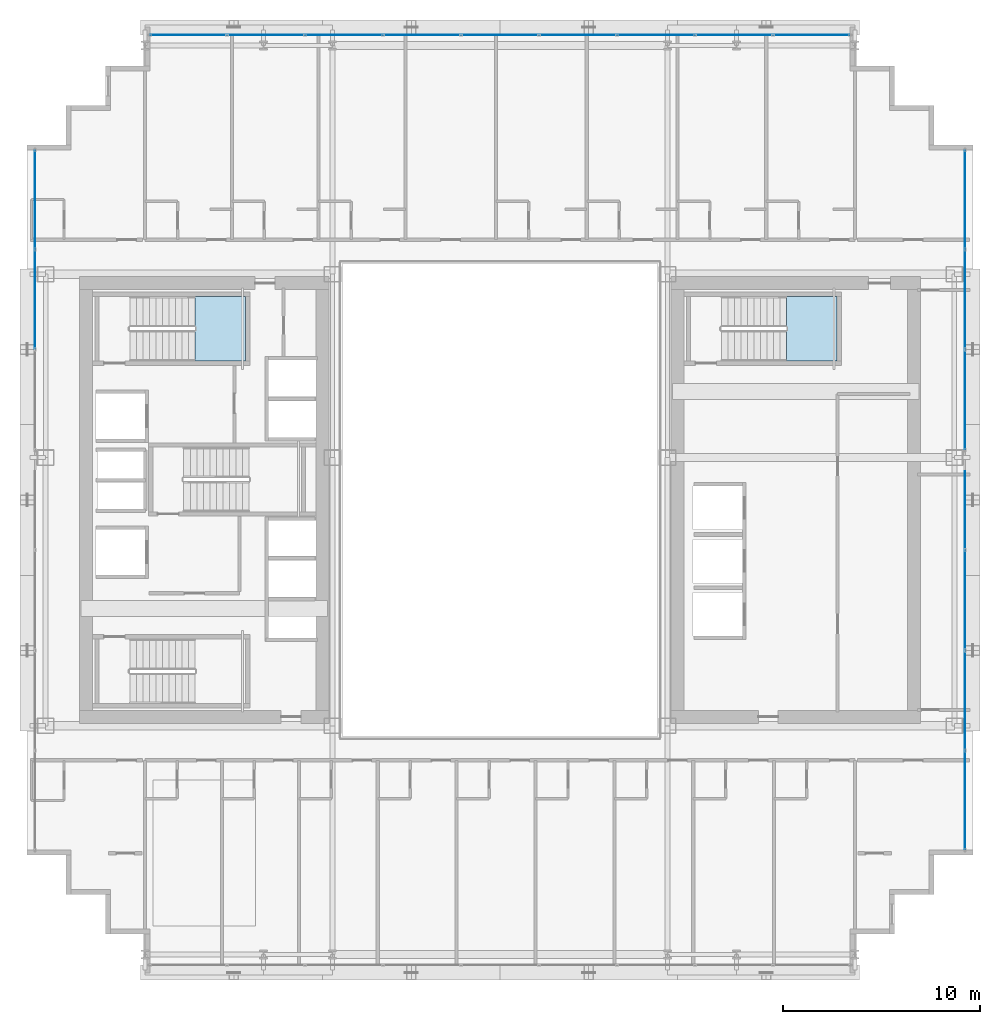
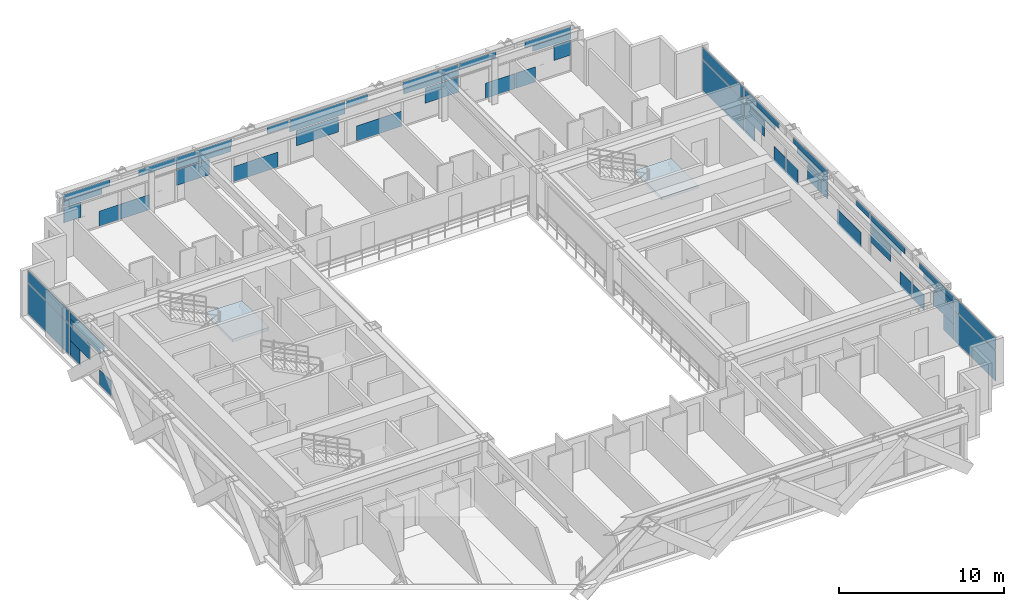
# One storey, part 24 of 36: 55 plates, 2 slabs, 5 elements without a shape of their own.
"""IFC4 building model written with IfcOpenShell, lengths in metres."""

from ifc_helpers import new_model, si_unit, direction, frame, origin, origin_2d, place, context, subcontext, project, spatial, polyline, rectangle, outline, extrude, source, transform, mapped, material, layer, layer_set, type_object, element, aggregate, save


model = new_model("IFC4")

# Units and contexts
model_context = context("Model", 3, precision=1e-05, world=origin(), true_north=direction((0.0, 1.0)))
body_context = subcontext(model_context, "Body", "Model", "MODEL_VIEW")
ifc_project = project(units=[si_unit("LENGTHUNIT", "METRE"), si_unit("AREAUNIT", "SQUARE_METRE"), si_unit("VOLUMEUNIT", "CUBIC_METRE"), si_unit("PLANEANGLEUNIT", "RADIAN"), si_unit("MASSUNIT", "GRAM", prefix="KILO")], contexts=[model_context])

# Site, building, storey
site_placement = place(None, origin())
site = spatial("IfcSite", under=ifc_project, at=site_placement, CompositionType="ELEMENT")
building_placement = place(site_placement, origin())
building = spatial("IfcBuilding", under=site, at=building_placement, Name="Ocotamira Hotel", CompositionType="ELEMENT")
storey_placement = place(building_placement, frame((0.0, 0.0, 133.199951171875)))
storey = spatial("IfcBuildingStorey", under=building, at=storey_placement, Name="L33", CompositionType="ELEMENT", Elevation=133.199951171875)

# Stair, slab
ifc_material_1 = material(Name="Concrete C40/50", Category="concrete")
stair_type = type_object("IfcStairType", Name="ST-CORE-1560", PredefinedType="HALF_TURN_STAIR", material=ifc_material_1)
stair_1_placement = place(storey_placement, origin())
stair_1 = element("IfcStair", 1, at=stair_1_placement, inside=storey, type_object=stair_type, Name="L33 Exit Stair ST-2", PredefinedType="HALF_TURN_STAIR")
ifc_layer_1 = layer(ifc_material_1, 0.199951171875)
ifc_layer_set_1 = layer_set([ifc_layer_1], Name="Concrete C40/50")
slab_type = type_object("IfcSlabType", Name="SLB-LAND-200", PredefinedType="LANDING", material=ifc_layer_set_1)
slab_1_placement = place(storey_placement, frame((0.0, 0.0, 1.60009765625)))
slab_1 = element("IfcSlab", 2, at=slab_1_placement, type_object=slab_type, Name="ST-2 landing 1", PredefinedType="LANDING", context=body_context, shape_type="SweptSolid", body=[
    extrude(outline(polyline([(16.530029296875, 33.050048828125), (19.090087890625, 33.050048828125), (19.090087890625, 36.330078125), (16.530029296875, 36.330078125), (16.530029296875, 33.050048828125)])), origin(), (0.0, 0.0, 1.0), 0.199951171875),
])
aggregate(stair_1, [slab_1])

stair_2_placement = place(storey_placement, origin())
stair_2 = element("IfcStair", 3, at=stair_2_placement, inside=storey, type_object=stair_type, Name="L33 Exit Stair ST-4", PredefinedType="HALF_TURN_STAIR")
slab_2_placement = place(storey_placement, frame((0.0, 0.0, 1.60009765625)))
slab_2 = element("IfcSlab", 4, at=slab_2_placement, type_object=slab_type, Name="ST-4 landing 1", PredefinedType="LANDING", context=body_context, shape_type="SweptSolid", body=[
    extrude(outline(polyline([(46.530029296875, 33.050048828125), (49.090087890625, 33.050048828125), (49.090087890625, 36.330078125), (46.530029296875, 36.330078125), (46.530029296875, 33.050048828125)])), origin(), (0.0, 0.0, 1.0), 0.199951171875),
])
aggregate(stair_2, [slab_2])

# Curtain wall, plate
ifc_material_2 = material(Name="Anodised pale-metal aluminium and solar glass", Category="aluminium")
ifc_layer_2 = layer(ifc_material_2, 0.179931640625)
ifc_layer_set_2 = layer_set([ifc_layer_2], Name="Anodised pale-metal aluminium and solar glass")
curtain_wall_type = type_object("IfcCurtainWallType", Name="CW-SYS3-Z2", PredefinedType="NOTDEFINED", material=ifc_layer_set_2)
curtain_wall_1_placement = place(storey_placement, origin())
curtain_wall_1 = element("IfcCurtainWall", 5, at=curtain_wall_1_placement, inside=storey, type_object=curtain_wall_type, Name="L33 Curtain Wall CW-3 CW-L33-W", PredefinedType="NOTDEFINED")
ifc_material_3 = material(Name="Double-silver low-E insulated solar glass", Category="glass")
ifc_layer_3 = layer(ifc_material_3, 0.031982421875)
ifc_layer_set_3 = layer_set([ifc_layer_3], Name="Double-silver low-E insulated solar glass")
plate_type = type_object("IfcPlateType", Name="CWP-VISION-32", PredefinedType="CURTAIN_PANEL", material=ifc_layer_set_3)
shared_shape_1 = source(origin(), body_context, "Body", "SweptSolid", [
    extrude(rectangle(XDim=4.9658203125, YDim=0.031982421875, at=origin_2d()), origin(), (0.0, 0.0, 1.0), 2.237548828125),
])
plate_1_placement = place(storey_placement, frame((8.419921875, 41.237060546875, 0.0751953125), z_axis=(0.0, 0.0, 1.0), x_axis=(0.0, 1.0, 0.0)))
plate_1 = element("IfcPlate", 6, at=plate_1_placement, type_object=plate_type, Name="CW-3 panel 7.1", PredefinedType="CURTAIN_PANEL", context=body_context, shape_type="MappedRepresentation", body=[
    mapped(shared_shape_1, transform((0.0, 0.0, 0.0), scale=1.0)),
])

# Curtain wall, plates
curtain_wall_2_placement = place(storey_placement, origin())
curtain_wall_2 = element("IfcCurtainWall", 7, at=curtain_wall_2_placement, inside=storey, type_object=curtain_wall_type, Name="L33 Curtain Wall CW-3 CW-L33-E", PredefinedType="NOTDEFINED")
plate_2_placement = place(storey_placement, frame((55.580078125, 10.762939453125, 0.0751953125), z_axis=(0.0, 0.0, 1.0), x_axis=(0.0, 1.0, 0.0)))
plate_2 = element("IfcPlate", 8, at=plate_2_placement, type_object=plate_type, Name="CW-3 panel 1.1", PredefinedType="CURTAIN_PANEL", context=body_context, shape_type="MappedRepresentation", body=[
    mapped(shared_shape_1, transform((0.0, 0.0, 0.0), scale=1.0)),
])
plate_3_placement = place(storey_placement, frame((55.580078125, 41.237060546875, 0.0751953125), z_axis=(0.0, 0.0, 1.0), x_axis=(0.0, 1.0, 0.0)))
plate_3 = element("IfcPlate", 9, at=plate_3_placement, type_object=plate_type, Name="CW-3 panel 7.1", PredefinedType="CURTAIN_PANEL", context=body_context, shape_type="MappedRepresentation", body=[
    mapped(shared_shape_1, transform((0.0, 0.0, 0.0), scale=1.0)),
])

curtain_wall_3_placement = place(storey_placement, origin())
curtain_wall_3 = element("IfcCurtainWall", 10, at=curtain_wall_3_placement, inside=storey, type_object=curtain_wall_type, Name="L33 Curtain Wall CW-3 CW-L33-N", PredefinedType="NOTDEFINED")
shared_shape_2 = source(origin(), body_context, "Body", "SweptSolid", [
    extrude(rectangle(XDim=2.676513671875, YDim=0.031982421875, at=origin_2d()), origin(), (0.0, 0.0, 1.0), 0.39453125),
])
plate_4_placement = place(storey_placement, frame((15.618408203125, 49.580078125, 2.3876953125), z_axis=(0.0, 0.0, 1.0), x_axis=(1.0, 0.0, 0.0)))
plate_4 = element("IfcPlate", 11, at=plate_4_placement, type_object=plate_type, Name="CW-3 panel 1.2.1", PredefinedType="CURTAIN_PANEL", context=body_context, shape_type="MappedRepresentation", body=[
    mapped(shared_shape_2, transform((0.0, 0.0, 0.0), scale=1.0)),
])
plate_5_placement = place(storey_placement, frame((48.381591796875, 49.580078125, 2.3876953125), z_axis=(0.0, 0.0, 1.0), x_axis=(1.0, 0.0, 0.0)))
plate_5 = element("IfcPlate", 12, at=plate_5_placement, type_object=plate_type, Name="CW-3 panel 9.2.2", PredefinedType="CURTAIN_PANEL", context=body_context, shape_type="MappedRepresentation", body=[
    mapped(shared_shape_2, transform((0.0, 0.0, 0.0), scale=1.0)),
])
shared_shape_3 = source(origin(), body_context, "Body", "SweptSolid", [
    extrude(rectangle(XDim=3.208740234375, YDim=0.031982421875, at=origin_2d()), origin(), (0.0, 0.0, 1.0), 0.4716796875),
])
plate_6_placement = place(storey_placement, frame((15.884521484375, 49.580078125, 2.813232421875), z_axis=(0.0, 0.0, 1.0), x_axis=(1.0, 0.0, 0.0)))
plate_6 = element("IfcPlate", 13, at=plate_6_placement, type_object=plate_type, Name="CW-3 panel 1.2.2", PredefinedType="CURTAIN_PANEL", context=body_context, shape_type="MappedRepresentation", body=[
    mapped(shared_shape_3, transform((0.0, 0.0, 0.0), scale=1.0)),
])
plate_7_placement = place(storey_placement, frame((48.115478515625, 49.580078125, 2.813232421875), z_axis=(0.0, 0.0, 1.0), x_axis=(1.0, 0.0, 0.0)))
plate_7 = element("IfcPlate", 14, at=plate_7_placement, type_object=plate_type, Name="CW-3 panel 9.2.1", PredefinedType="CURTAIN_PANEL", context=body_context, shape_type="MappedRepresentation", body=[
    mapped(shared_shape_3, transform((0.0, 0.0, 0.0), scale=1.0)),
])
shared_shape_4 = source(origin(), body_context, "Body", "SweptSolid", [
    extrude(rectangle(XDim=2.559814453125, YDim=0.031982421875, at=origin_2d()), origin(), (0.0, 0.0, 1.0), 0.4716796875),
])
plate_8_placement = place(storey_placement, frame((20.791259765625, 49.580078125, 2.813232421875), z_axis=(0.0, 0.0, 1.0), x_axis=(1.0, 0.0, 0.0)))
plate_8 = element("IfcPlate", 15, at=plate_8_placement, type_object=plate_type, Name="CW-3 panel 2.2.1", PredefinedType="CURTAIN_PANEL", context=body_context, shape_type="MappedRepresentation", body=[
    mapped(shared_shape_4, transform((0.0, 0.0, 0.0), scale=1.0)),
])
plate_9_placement = place(storey_placement, frame((43.208740234375, 49.580078125, 2.813232421875), z_axis=(0.0, 0.0, 1.0), x_axis=(1.0, 0.0, 0.0)))
plate_9 = element("IfcPlate", 16, at=plate_9_placement, type_object=plate_type, Name="CW-3 panel 8.2.1", PredefinedType="CURTAIN_PANEL", context=body_context, shape_type="MappedRepresentation", body=[
    mapped(shared_shape_4, transform((0.0, 0.0, 0.0), scale=1.0)),
])
shared_shape_5 = source(origin(), body_context, "Body", "SweptSolid", [
    extrude(rectangle(XDim=3.805419921875, YDim=0.031982421875, at=origin_2d()), origin(), (0.0, 0.0, 1.0), 0.42578125),
])
plate_10_placement = place(storey_placement, frame((24.0537109375, 49.580078125, 2.387451171875), z_axis=(0.0, 0.0, 1.0), x_axis=(1.0, 0.0, 0.0)))
plate_10 = element("IfcPlate", 17, at=plate_10_placement, type_object=plate_type, Name="CW-3 panel 3.2.1", PredefinedType="CURTAIN_PANEL", context=body_context, shape_type="MappedRepresentation", body=[
    mapped(shared_shape_5, transform((0.0, 0.0, 0.0), scale=1.0)),
])
plate_11_placement = place(storey_placement, frame((39.9462890625, 49.580078125, 2.387451171875), z_axis=(0.0, 0.0, 1.0), x_axis=(1.0, 0.0, 0.0)))
plate_11 = element("IfcPlate", 18, at=plate_11_placement, type_object=plate_type, Name="CW-3 panel 7.2.2", PredefinedType="CURTAIN_PANEL", context=body_context, shape_type="MappedRepresentation", body=[
    mapped(shared_shape_5, transform((0.0, 0.0, 0.0), scale=1.0)),
])
shared_shape_6 = source(origin(), body_context, "Body", "SweptSolid", [
    extrude(rectangle(XDim=3.87548828125, YDim=0.031982421875, at=origin_2d()), origin(), (0.0, 0.0, 1.0), 0.4716796875),
])
plate_12_placement = place(storey_placement, frame((24.0888671875, 49.580078125, 2.813232421875), z_axis=(0.0, 0.0, 1.0), x_axis=(1.0, 0.0, 0.0)))
plate_12 = element("IfcPlate", 19, at=plate_12_placement, type_object=plate_type, Name="CW-3 panel 3.2.2", PredefinedType="CURTAIN_PANEL", context=body_context, shape_type="MappedRepresentation", body=[
    mapped(shared_shape_6, transform((0.0, 0.0, 0.0), scale=1.0)),
])
plate_13_placement = place(storey_placement, frame((39.9111328125, 49.580078125, 2.813232421875), z_axis=(0.0, 0.0, 1.0), x_axis=(1.0, 0.0, 0.0)))
plate_13 = element("IfcPlate", 20, at=plate_13_placement, type_object=plate_type, Name="CW-3 panel 7.2.1", PredefinedType="CURTAIN_PANEL", context=body_context, shape_type="MappedRepresentation", body=[
    mapped(shared_shape_6, transform((0.0, 0.0, 0.0), scale=1.0)),
])
shared_shape_7 = source(origin(), body_context, "Body", "SweptSolid", [
    extrude(rectangle(XDim=1.470947265625, YDim=0.031982421875, at=origin_2d()), origin(), (0.0, 0.0, 1.0), 0.4716796875),
])
plate_14_placement = place(storey_placement, frame((29.24658203125, 49.580078125, 2.813232421875), z_axis=(0.0, 0.0, 1.0), x_axis=(1.0, 0.0, 0.0)))
plate_14 = element("IfcPlate", 21, at=plate_14_placement, type_object=plate_type, Name="CW-3 panel 4.2.1", PredefinedType="CURTAIN_PANEL", context=body_context, shape_type="MappedRepresentation", body=[
    mapped(shared_shape_7, transform((0.0, 0.0, 0.0), scale=1.0)),
])
plate_15_placement = place(storey_placement, frame((34.75341796875, 49.580078125, 2.813232421875), z_axis=(0.0, 0.0, 1.0), x_axis=(1.0, 0.0, 0.0)))
plate_15 = element("IfcPlate", 22, at=plate_15_placement, type_object=plate_type, Name="CW-3 panel 6.2.1", PredefinedType="CURTAIN_PANEL", context=body_context, shape_type="MappedRepresentation", body=[
    mapped(shared_shape_7, transform((0.0, 0.0, 0.0), scale=1.0)),
])
shared_shape_8 = source(origin(), body_context, "Body", "SweptSolid", [
    extrude(rectangle(XDim=3.87548828125, YDim=0.031982421875, at=origin_2d()), origin(), (0.0, 0.0, 1.0), 0.8974609375),
])
plate_16_placement = place(storey_placement, frame((32.0, 49.580078125, 2.387451171875), z_axis=(0.0, 0.0, 1.0), x_axis=(1.0, 0.0, 0.0)))
plate_16 = element("IfcPlate", 23, at=plate_16_placement, type_object=plate_type, Name="CW-3 panel 5.2", PredefinedType="CURTAIN_PANEL", context=body_context, shape_type="MappedRepresentation", body=[
    mapped(shared_shape_8, transform((0.0, 0.0, 0.0), scale=1.0)),
])

# Plate
shared_shape_9 = source(origin(), body_context, "Body", "SweptSolid", [
    extrude(rectangle(XDim=4.9658203125, YDim=0.031982421875, at=origin_2d()), origin(), (0.0, 0.0, 1.0), 0.8974609375),
])
plate_17_placement = place(storey_placement, frame((8.419921875, 41.237060546875, 2.387451171875), z_axis=(0.0, 0.0, 1.0), x_axis=(0.0, 1.0, 0.0)))
plate_17 = element("IfcPlate", 24, at=plate_17_placement, type_object=plate_type, Name="CW-3 panel 7.2", PredefinedType="CURTAIN_PANEL", context=body_context, shape_type="MappedRepresentation", body=[
    mapped(shared_shape_9, transform((0.0, 0.0, 0.0), scale=1.0)),
])

plate_18_placement = place(storey_placement, frame((55.580078125, 10.762939453125, 2.387451171875), z_axis=(0.0, 0.0, 1.0), x_axis=(0.0, 1.0, 0.0)))
plate_18 = element("IfcPlate", 25, at=plate_18_placement, type_object=plate_type, Name="CW-3 panel 1.2", PredefinedType="CURTAIN_PANEL", context=body_context, shape_type="MappedRepresentation", body=[
    mapped(shared_shape_9, transform((0.0, 0.0, 0.0), scale=1.0)),
])

plate_19_placement = place(storey_placement, frame((55.580078125, 41.237060546875, 2.387451171875), z_axis=(0.0, 0.0, 1.0), x_axis=(0.0, 1.0, 0.0)))
plate_19 = element("IfcPlate", 26, at=plate_19_placement, type_object=plate_type, Name="CW-3 panel 7.2", PredefinedType="CURTAIN_PANEL", context=body_context, shape_type="MappedRepresentation", body=[
    mapped(shared_shape_9, transform((0.0, 0.0, 0.0), scale=1.0)),
])

shared_shape_10 = source(origin(), body_context, "Body", "SweptSolid", [
    extrude(rectangle(XDim=3.69189453125, YDim=0.031982421875, at=origin_2d()), origin(), (0.0, 0.0, 1.0), 0.414306640625),
])
plate_20_placement = place(storey_placement, frame((8.419921875, 36.828369140625, 2.3876953125), z_axis=(0.0, 0.0, 1.0), x_axis=(0.0, 1.0, 0.0)))
plate_20 = element("IfcPlate", 27, at=plate_20_placement, type_object=plate_type, Name="CW-3 panel 6.2.2", PredefinedType="CURTAIN_PANEL", context=body_context, shape_type="MappedRepresentation", body=[
    mapped(shared_shape_10, transform((0.0, 0.0, 0.0), scale=1.0)),
])

plate_21_placement = place(storey_placement, frame((55.580078125, 15.171630859375, 2.3876953125), z_axis=(0.0, 0.0, 1.0), x_axis=(0.0, 1.0, 0.0)))
plate_21 = element("IfcPlate", 28, at=plate_21_placement, type_object=plate_type, Name="CW-3 panel 2.2.1", PredefinedType="CURTAIN_PANEL", context=body_context, shape_type="MappedRepresentation", body=[
    mapped(shared_shape_10, transform((0.0, 0.0, 0.0), scale=1.0)),
])

plate_22_placement = place(storey_placement, frame((55.580078125, 36.828369140625, 2.3876953125), z_axis=(0.0, 0.0, 1.0), x_axis=(0.0, 1.0, 0.0)))
plate_22 = element("IfcPlate", 29, at=plate_22_placement, type_object=plate_type, Name="CW-3 panel 6.2.2", PredefinedType="CURTAIN_PANEL", context=body_context, shape_type="MappedRepresentation", body=[
    mapped(shared_shape_10, transform((0.0, 0.0, 0.0), scale=1.0)),
])

shared_shape_11 = source(origin(), body_context, "Body", "SweptSolid", [
    extrude(rectangle(XDim=4.16748046875, YDim=0.031982421875, at=origin_2d()), origin(), (0.0, 0.0, 1.0), 0.44873046875),
])
plate_23_placement = place(storey_placement, frame((8.419921875, 36.590576171875, 2.836181640625), z_axis=(0.0, 0.0, 1.0), x_axis=(0.0, 1.0, 0.0)))
plate_23 = element("IfcPlate", 30, at=plate_23_placement, type_object=plate_type, Name="CW-3 panel 6.2.1", PredefinedType="CURTAIN_PANEL", context=body_context, shape_type="MappedRepresentation", body=[
    mapped(shared_shape_11, transform((0.0, 0.0, 0.0), scale=1.0)),
])

plate_24_placement = place(storey_placement, frame((55.580078125, 15.409423828125, 2.836181640625), z_axis=(0.0, 0.0, 1.0), x_axis=(0.0, 1.0, 0.0)))
plate_24 = element("IfcPlate", 31, at=plate_24_placement, type_object=plate_type, Name="CW-3 panel 2.2.2", PredefinedType="CURTAIN_PANEL", context=body_context, shape_type="MappedRepresentation", body=[
    mapped(shared_shape_11, transform((0.0, 0.0, 0.0), scale=1.0)),
])

plate_25_placement = place(storey_placement, frame((55.580078125, 36.590576171875, 2.836181640625), z_axis=(0.0, 0.0, 1.0), x_axis=(0.0, 1.0, 0.0)))
plate_25 = element("IfcPlate", 32, at=plate_25_placement, type_object=plate_type, Name="CW-3 panel 6.2.1", PredefinedType="CURTAIN_PANEL", context=body_context, shape_type="MappedRepresentation", body=[
    mapped(shared_shape_11, transform((0.0, 0.0, 0.0), scale=1.0)),
])

shared_shape_12 = source(origin(), body_context, "Body", "SweptSolid", [
    extrude(rectangle(XDim=4.17724609375, YDim=0.031982421875, at=origin_2d()), origin(), (0.0, 0.0, 1.0), 0.44873046875),
])
plate_26_placement = place(storey_placement, frame((55.580078125, 21.32861328125, 2.836181640625), z_axis=(0.0, 0.0, 1.0), x_axis=(0.0, 1.0, 0.0)))
plate_26 = element("IfcPlate", 33, at=plate_26_placement, type_object=plate_type, Name="CW-3 panel 3.2.1", PredefinedType="CURTAIN_PANEL", context=body_context, shape_type="MappedRepresentation", body=[
    mapped(shared_shape_12, transform((0.0, 0.0, 0.0), scale=1.0)),
])

plate_27_placement = place(storey_placement, frame((55.580078125, 30.67138671875, 2.836181640625), z_axis=(0.0, 0.0, 1.0), x_axis=(0.0, 1.0, 0.0)))
plate_27 = element("IfcPlate", 34, at=plate_27_placement, type_object=plate_type, Name="CW-3 panel 5.2.2", PredefinedType="CURTAIN_PANEL", context=body_context, shape_type="MappedRepresentation", body=[
    mapped(shared_shape_12, transform((0.0, 0.0, 0.0), scale=1.0)),
])

shared_shape_13 = source(origin(), body_context, "Body", "SweptSolid", [
    extrude(rectangle(XDim=3.70166015625, YDim=0.031982421875, at=origin_2d()), origin(), (0.0, 0.0, 1.0), 0.414306640625),
])
plate_28_placement = place(storey_placement, frame((55.580078125, 21.56640625, 2.3876953125), z_axis=(0.0, 0.0, 1.0), x_axis=(0.0, 1.0, 0.0)))
plate_28 = element("IfcPlate", 35, at=plate_28_placement, type_object=plate_type, Name="CW-3 panel 3.2.2", PredefinedType="CURTAIN_PANEL", context=body_context, shape_type="MappedRepresentation", body=[
    mapped(shared_shape_13, transform((0.0, 0.0, 0.0), scale=1.0)),
])

plate_29_placement = place(storey_placement, frame((55.580078125, 30.43359375, 2.3876953125), z_axis=(0.0, 0.0, 1.0), x_axis=(0.0, 1.0, 0.0)))
plate_29 = element("IfcPlate", 36, at=plate_29_placement, type_object=plate_type, Name="CW-3 panel 5.2.1", PredefinedType="CURTAIN_PANEL", context=body_context, shape_type="MappedRepresentation", body=[
    mapped(shared_shape_13, transform((0.0, 0.0, 0.0), scale=1.0)),
])

shared_shape_14 = source(origin(), body_context, "Body", "SweptSolid", [
    extrude(rectangle(XDim=1.629638671875, YDim=0.031982421875, at=origin_2d()), origin(), (0.0, 0.0, 1.0), 0.44873046875),
])
plate_30_placement = place(storey_placement, frame((55.580078125, 24.31201171875, 2.836181640625), z_axis=(0.0, 0.0, 1.0), x_axis=(0.0, 1.0, 0.0)))
plate_30 = element("IfcPlate", 37, at=plate_30_placement, type_object=plate_type, Name="CW-3 panel 4.2.1", PredefinedType="CURTAIN_PANEL", context=body_context, shape_type="MappedRepresentation", body=[
    mapped(shared_shape_14, transform((0.0, 0.0, 0.0), scale=1.0)),
])

shared_shape_15 = source(origin(), body_context, "Body", "SweptSolid", [
    extrude(rectangle(XDim=2.404296875, YDim=0.031982421875, at=origin_2d()), origin(), (0.0, 0.0, 1.0), 1.11865234375),
])
plate_31_placement = place(storey_placement, frame((55.580078125, 22.183349609375, 1.19384765625), z_axis=(0.0, 0.0, 1.0), x_axis=(0.0, 1.0, 0.0)))
plate_31 = element("IfcPlate", 38, at=plate_31_placement, type_object=plate_type, Name="CW-3 panel 3.1.2", PredefinedType="CURTAIN_PANEL", context=body_context, shape_type="MappedRepresentation", body=[
    mapped(shared_shape_15, transform((0.0, 0.0, 0.0), scale=1.0)),
])

plate_32_placement = place(storey_placement, frame((55.580078125, 29.816650390625, 1.19384765625), z_axis=(0.0, 0.0, 1.0), x_axis=(0.0, 1.0, 0.0)))
plate_32 = element("IfcPlate", 39, at=plate_32_placement, type_object=plate_type, Name="CW-3 panel 5.1.1", PredefinedType="CURTAIN_PANEL", context=body_context, shape_type="MappedRepresentation", body=[
    mapped(shared_shape_15, transform((0.0, 0.0, 0.0), scale=1.0)),
])

shared_shape_16 = source(origin(), body_context, "Body", "SweptSolid", [
    extrude(rectangle(XDim=1.37060546875, YDim=0.031982421875, at=origin_2d()), origin(), (0.0, 0.0, 1.0), 1.118896484375),
])
plate_33_placement = place(storey_placement, frame((17.430419921875, 49.580078125, 0.0751953125), z_axis=(0.0, 0.0, 1.0), x_axis=(1.0, 0.0, 0.0)))
plate_33 = element("IfcPlate", 40, at=plate_33_placement, type_object=plate_type, Name="CW-3 panel 1.1.2", PredefinedType="CURTAIN_PANEL", context=body_context, shape_type="MappedRepresentation", body=[
    mapped(shared_shape_16, transform((0.0, 0.0, 0.0), scale=1.0)),
])

plate_34_placement = place(storey_placement, frame((46.569580078125, 49.580078125, 0.0751953125), z_axis=(0.0, 0.0, 1.0), x_axis=(1.0, 0.0, 0.0)))
plate_34 = element("IfcPlate", 41, at=plate_34_placement, type_object=plate_type, Name="CW-3 panel 9.1.1", PredefinedType="CURTAIN_PANEL", context=body_context, shape_type="MappedRepresentation", body=[
    mapped(shared_shape_16, transform((0.0, 0.0, 0.0), scale=1.0)),
])

shared_shape_17 = source(origin(), body_context, "Body", "SweptSolid", [
    extrude(rectangle(XDim=2.059326171875, YDim=0.031982421875, at=origin_2d()), origin(), (0.0, 0.0, 1.0), 1.118896484375),
])
plate_35_placement = place(storey_placement, frame((19.225341796875, 49.580078125, 0.0751953125), z_axis=(0.0, 0.0, 1.0), x_axis=(1.0, 0.0, 0.0)))
plate_35 = element("IfcPlate", 42, at=plate_35_placement, type_object=plate_type, Name="CW-3 panel 2.1.1", PredefinedType="CURTAIN_PANEL", context=body_context, shape_type="MappedRepresentation", body=[
    mapped(shared_shape_17, transform((0.0, 0.0, 0.0), scale=1.0)),
])

plate_36_placement = place(storey_placement, frame((44.774658203125, 49.580078125, 0.0751953125), z_axis=(0.0, 0.0, 1.0), x_axis=(1.0, 0.0, 0.0)))
plate_36 = element("IfcPlate", 43, at=plate_36_placement, type_object=plate_type, Name="CW-3 panel 8.1.1", PredefinedType="CURTAIN_PANEL", context=body_context, shape_type="MappedRepresentation", body=[
    mapped(shared_shape_17, transform((0.0, 0.0, 0.0), scale=1.0)),
])

shared_shape_18 = source(origin(), body_context, "Body", "SweptSolid", [
    extrude(rectangle(XDim=3.148193359375, YDim=0.031982421875, at=origin_2d()), origin(), (0.0, 0.0, 1.0), 1.118896484375),
])
plate_37_placement = place(storey_placement, frame((27.680908203125, 49.580078125, 0.0751953125), z_axis=(0.0, 0.0, 1.0), x_axis=(1.0, 0.0, 0.0)))
plate_37 = element("IfcPlate", 44, at=plate_37_placement, type_object=plate_type, Name="CW-3 panel 4.1.1", PredefinedType="CURTAIN_PANEL", context=body_context, shape_type="MappedRepresentation", body=[
    mapped(shared_shape_18, transform((0.0, 0.0, 0.0), scale=1.0)),
])

plate_38_placement = place(storey_placement, frame((36.319091796875, 49.580078125, 0.0751953125), z_axis=(0.0, 0.0, 1.0), x_axis=(1.0, 0.0, 0.0)))
plate_38 = element("IfcPlate", 45, at=plate_38_placement, type_object=plate_type, Name="CW-3 panel 6.1.1", PredefinedType="CURTAIN_PANEL", context=body_context, shape_type="MappedRepresentation", body=[
    mapped(shared_shape_18, transform((0.0, 0.0, 0.0), scale=1.0)),
])

shared_shape_19 = source(origin(), body_context, "Body", "SweptSolid", [
    extrude(rectangle(XDim=1.240234375, YDim=0.031982421875, at=origin_2d()), origin(), (0.0, 0.0, 1.0), 1.118896484375),
])
plate_39_placement = place(storey_placement, frame((8.419921875, 38.05419921875, 0.0751953125), z_axis=(0.0, 0.0, 1.0), x_axis=(0.0, 1.0, 0.0)))
plate_39 = element("IfcPlate", 46, at=plate_39_placement, type_object=plate_type, Name="CW-3 panel 6.1.3", PredefinedType="CURTAIN_PANEL", context=body_context, shape_type="MappedRepresentation", body=[
    mapped(shared_shape_19, transform((0.0, 0.0, 0.0), scale=1.0)),
])

plate_40_placement = place(storey_placement, frame((55.580078125, 13.94580078125, 0.0751953125), z_axis=(0.0, 0.0, 1.0), x_axis=(0.0, 1.0, 0.0)))
plate_40 = element("IfcPlate", 47, at=plate_40_placement, type_object=plate_type, Name="CW-3 panel 2.1.1", PredefinedType="CURTAIN_PANEL", context=body_context, shape_type="MappedRepresentation", body=[
    mapped(shared_shape_19, transform((0.0, 0.0, 0.0), scale=1.0)),
])

plate_41_placement = place(storey_placement, frame((55.580078125, 38.05419921875, 0.0751953125), z_axis=(0.0, 0.0, 1.0), x_axis=(0.0, 1.0, 0.0)))
plate_41 = element("IfcPlate", 48, at=plate_41_placement, type_object=plate_type, Name="CW-3 panel 6.1.3", PredefinedType="CURTAIN_PANEL", context=body_context, shape_type="MappedRepresentation", body=[
    mapped(shared_shape_19, transform((0.0, 0.0, 0.0), scale=1.0)),
])

shared_shape_20 = source(origin(), body_context, "Body", "SweptSolid", [
    extrude(rectangle(XDim=1.413330078125, YDim=0.031982421875, at=origin_2d()), origin(), (0.0, 0.0, 1.0), 1.118896484375),
])
plate_42_placement = place(storey_placement, frame((8.419921875, 34.375244140625, 0.0751953125), z_axis=(0.0, 0.0, 1.0), x_axis=(0.0, 1.0, 0.0)))
plate_42 = element("IfcPlate", 49, at=plate_42_placement, type_object=plate_type, Name="CW-3 panel 6.1.1", PredefinedType="CURTAIN_PANEL", context=body_context, shape_type="MappedRepresentation", body=[
    mapped(shared_shape_20, transform((0.0, 0.0, 0.0), scale=1.0)),
])

plate_43_placement = place(storey_placement, frame((55.580078125, 17.624755859375, 0.0751953125), z_axis=(0.0, 0.0, 1.0), x_axis=(0.0, 1.0, 0.0)))
plate_43 = element("IfcPlate", 50, at=plate_43_placement, type_object=plate_type, Name="CW-3 panel 2.1.3", PredefinedType="CURTAIN_PANEL", context=body_context, shape_type="MappedRepresentation", body=[
    mapped(shared_shape_20, transform((0.0, 0.0, 0.0), scale=1.0)),
])

plate_44_placement = place(storey_placement, frame((55.580078125, 34.375244140625, 0.0751953125), z_axis=(0.0, 0.0, 1.0), x_axis=(0.0, 1.0, 0.0)))
plate_44 = element("IfcPlate", 51, at=plate_44_placement, type_object=plate_type, Name="CW-3 panel 6.1.1", PredefinedType="CURTAIN_PANEL", context=body_context, shape_type="MappedRepresentation", body=[
    mapped(shared_shape_20, transform((0.0, 0.0, 0.0), scale=1.0)),
])

shared_shape_21 = source(origin(), body_context, "Body", "SweptSolid", [
    extrude(rectangle(XDim=1.40380859375, YDim=0.031982421875, at=origin_2d()), origin(), (0.0, 0.0, 1.0), 1.118896484375),
])
plate_45_placement = place(storey_placement, frame((55.580078125, 19.11328125, 0.0751953125), z_axis=(0.0, 0.0, 1.0), x_axis=(0.0, 1.0, 0.0)))
plate_45 = element("IfcPlate", 52, at=plate_45_placement, type_object=plate_type, Name="CW-3 panel 3.1.1", PredefinedType="CURTAIN_PANEL", context=body_context, shape_type="MappedRepresentation", body=[
    mapped(shared_shape_21, transform((0.0, 0.0, 0.0), scale=1.0)),
])

plate_46_placement = place(storey_placement, frame((55.580078125, 32.88671875, 0.0751953125), z_axis=(0.0, 0.0, 1.0), x_axis=(0.0, 1.0, 0.0)))
plate_46 = element("IfcPlate", 53, at=plate_46_placement, type_object=plate_type, Name="CW-3 panel 5.1.2", PredefinedType="CURTAIN_PANEL", context=body_context, shape_type="MappedRepresentation", body=[
    mapped(shared_shape_21, transform((0.0, 0.0, 0.0), scale=1.0)),
])

shared_shape_22 = source(origin(), body_context, "Body", "SweptSolid", [
    extrude(rectangle(XDim=2.897216796875, YDim=0.031982421875, at=origin_2d()), origin(), (0.0, 0.0, 1.0), 1.118896484375),
])
plate_47_placement = place(storey_placement, frame((55.580078125, 26.0, 0.0751953125), z_axis=(0.0, 0.0, 1.0), x_axis=(0.0, 1.0, 0.0)))
plate_47 = element("IfcPlate", 54, at=plate_47_placement, type_object=plate_type, Name="CW-3 panel 4.1.1", PredefinedType="CURTAIN_PANEL", context=body_context, shape_type="MappedRepresentation", body=[
    mapped(shared_shape_22, transform((0.0, 0.0, 0.0), scale=1.0)),
])

shared_shape_23 = source(origin(), body_context, "Body", "SweptSolid", [
    extrude(rectangle(XDim=1.184326171875, YDim=0.031982421875, at=origin_2d()), origin(), (0.0, 0.0, 1.0), 1.11865234375),
])
plate_48_placement = place(storey_placement, frame((14.872314453125, 49.580078125, 1.19384765625), z_axis=(0.0, 0.0, 1.0), x_axis=(1.0, 0.0, 0.0)))
plate_48 = element("IfcPlate", 55, at=plate_48_placement, type_object=plate_type, Name="CW-3 panel 1.1.1", PredefinedType="CURTAIN_PANEL", context=body_context, shape_type="MappedRepresentation", body=[
    mapped(shared_shape_23, transform((0.0, 0.0, 0.0), scale=1.0)),
])

plate_49_placement = place(storey_placement, frame((49.127685546875, 49.580078125, 1.19384765625), z_axis=(0.0, 0.0, 1.0), x_axis=(1.0, 0.0, 0.0)))
plate_49 = element("IfcPlate", 56, at=plate_49_placement, type_object=plate_type, Name="CW-3 panel 9.1.2", PredefinedType="CURTAIN_PANEL", context=body_context, shape_type="MappedRepresentation", body=[
    mapped(shared_shape_23, transform((0.0, 0.0, 0.0), scale=1.0)),
])

shared_shape_24 = source(origin(), body_context, "Body", "SweptSolid", [
    extrude(rectangle(XDim=2.313232421875, YDim=0.031982421875, at=origin_2d()), origin(), (0.0, 0.0, 1.0), 1.11865234375),
])
plate_50_placement = place(storey_placement, frame((23.3076171875, 49.580078125, 1.19384765625), z_axis=(0.0, 0.0, 1.0), x_axis=(1.0, 0.0, 0.0)))
plate_50 = element("IfcPlate", 57, at=plate_50_placement, type_object=plate_type, Name="CW-3 panel 3.1.1", PredefinedType="CURTAIN_PANEL", context=body_context, shape_type="MappedRepresentation", body=[
    mapped(shared_shape_24, transform((0.0, 0.0, 0.0), scale=1.0)),
])

plate_51_placement = place(storey_placement, frame((40.6923828125, 49.580078125, 1.19384765625), z_axis=(0.0, 0.0, 1.0), x_axis=(1.0, 0.0, 0.0)))
plate_51 = element("IfcPlate", 58, at=plate_51_placement, type_object=plate_type, Name="CW-3 panel 7.1.1", PredefinedType="CURTAIN_PANEL", context=body_context, shape_type="MappedRepresentation", body=[
    mapped(shared_shape_24, transform((0.0, 0.0, 0.0), scale=1.0)),
])

shared_shape_25 = source(origin(), body_context, "Body", "SweptSolid", [
    extrude(rectangle(XDim=2.9287109375, YDim=0.031982421875, at=origin_2d()), origin(), (0.0, 0.0, 1.0), 1.11865234375),
])
plate_52_placement = place(storey_placement, frame((32.0, 49.580078125, 1.19384765625), z_axis=(0.0, 0.0, 1.0), x_axis=(1.0, 0.0, 0.0)))
plate_52 = element("IfcPlate", 59, at=plate_52_placement, type_object=plate_type, Name="CW-3 panel 5.1.1", PredefinedType="CURTAIN_PANEL", context=body_context, shape_type="MappedRepresentation", body=[
    mapped(shared_shape_25, transform((0.0, 0.0, 0.0), scale=1.0)),
])

aggregate(curtain_wall_3, [plate_48, plate_33, plate_4, plate_6, plate_35, plate_8, plate_50, plate_10, plate_12, plate_37, plate_14, plate_52, plate_16, plate_38, plate_15, plate_51, plate_13, plate_11, plate_36, plate_9, plate_34, plate_49, plate_7, plate_5])

shared_shape_26 = source(origin(), body_context, "Body", "SweptSolid", [
    extrude(rectangle(XDim=2.426513671875, YDim=0.031982421875, at=origin_2d()), origin(), (0.0, 0.0, 1.0), 1.11865234375),
])
plate_53_placement = place(storey_placement, frame((8.419921875, 37.461181640625, 1.19384765625), z_axis=(0.0, 0.0, 1.0), x_axis=(0.0, 1.0, 0.0)))
plate_53 = element("IfcPlate", 60, at=plate_53_placement, type_object=plate_type, Name="CW-3 panel 6.1.2", PredefinedType="CURTAIN_PANEL", context=body_context, shape_type="MappedRepresentation", body=[
    mapped(shared_shape_26, transform((0.0, 0.0, 0.0), scale=1.0)),
])

aggregate(curtain_wall_1, [plate_42, plate_53, plate_39, plate_23, plate_20, plate_1, plate_17])

plate_54_placement = place(storey_placement, frame((55.580078125, 14.538818359375, 1.19384765625), z_axis=(0.0, 0.0, 1.0), x_axis=(0.0, 1.0, 0.0)))
plate_54 = element("IfcPlate", 61, at=plate_54_placement, type_object=plate_type, Name="CW-3 panel 2.1.2", PredefinedType="CURTAIN_PANEL", context=body_context, shape_type="MappedRepresentation", body=[
    mapped(shared_shape_26, transform((0.0, 0.0, 0.0), scale=1.0)),
])

plate_55_placement = place(storey_placement, frame((55.580078125, 37.461181640625, 1.19384765625), z_axis=(0.0, 0.0, 1.0), x_axis=(0.0, 1.0, 0.0)))
plate_55 = element("IfcPlate", 62, at=plate_55_placement, type_object=plate_type, Name="CW-3 panel 6.1.2", PredefinedType="CURTAIN_PANEL", context=body_context, shape_type="MappedRepresentation", body=[
    mapped(shared_shape_26, transform((0.0, 0.0, 0.0), scale=1.0)),
])

aggregate(curtain_wall_2, [plate_2, plate_18, plate_40, plate_54, plate_43, plate_21, plate_24, plate_45, plate_31, plate_26, plate_28, plate_47, plate_30, plate_32, plate_46, plate_29, plate_27, plate_44, plate_55, plate_41, plate_25, plate_22, plate_3, plate_19])

save(model, "model.ifc")
